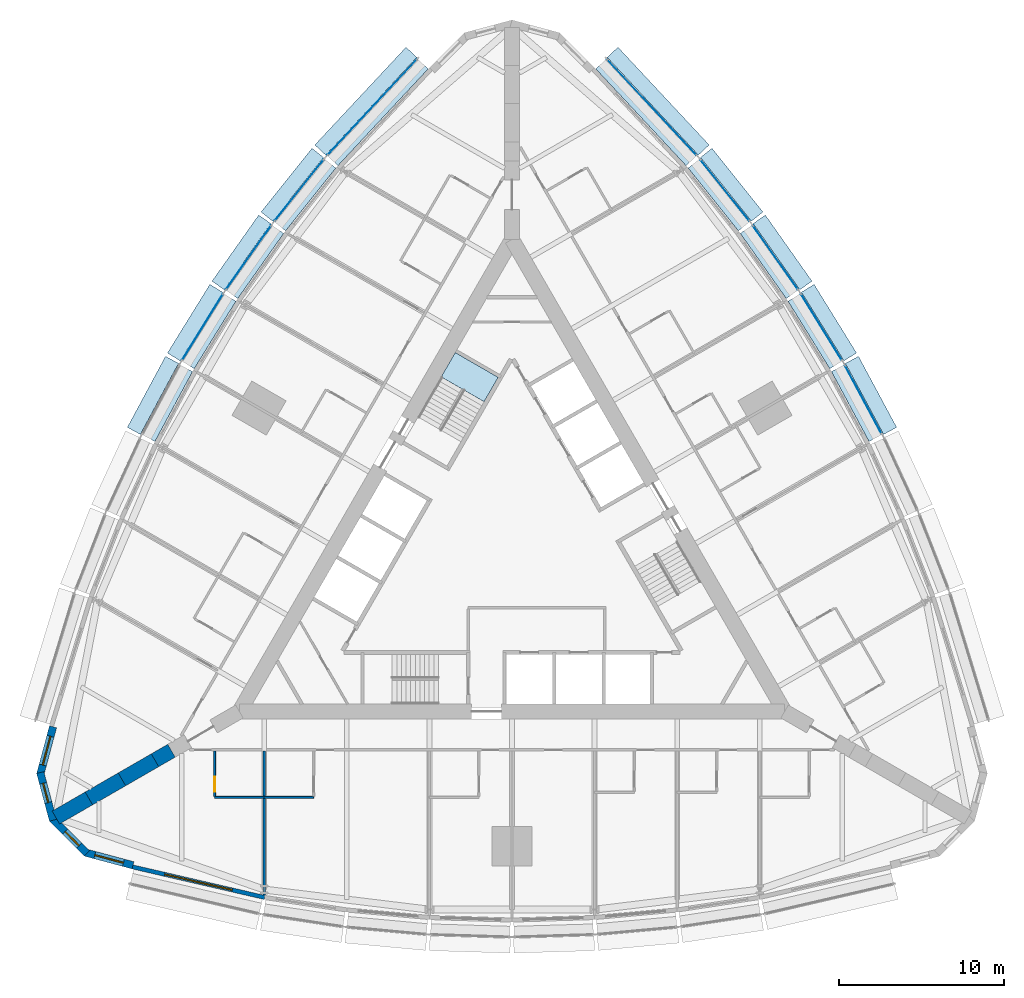
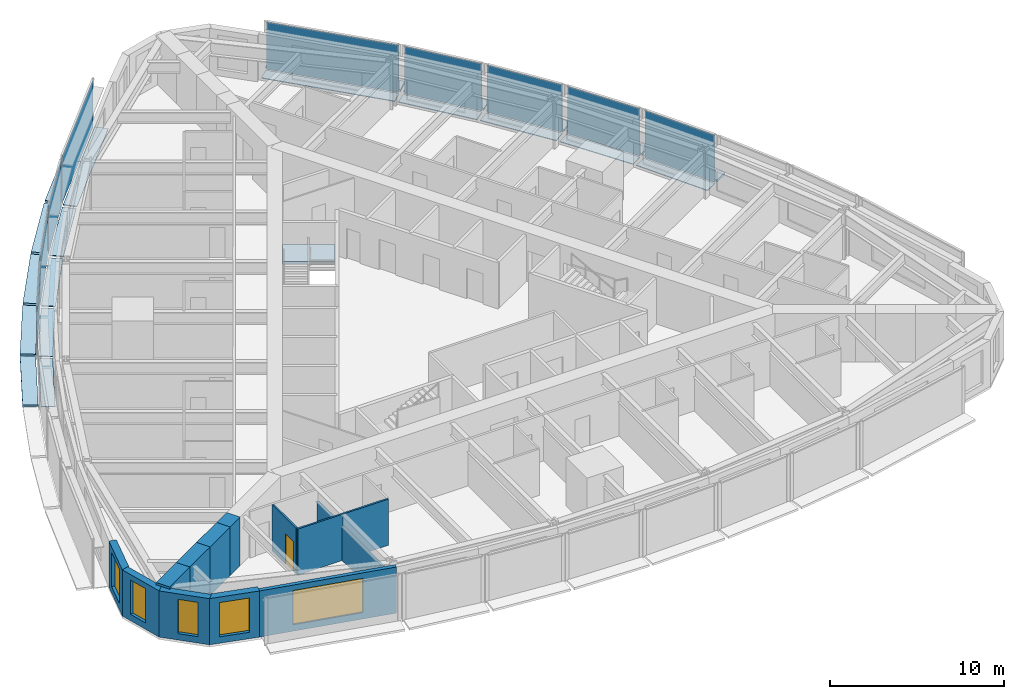
# One storey, part 7 of 14: 29 plates, 13 walls, 5 windows, 1 door, 1 slab, 6 openings, 10 elements without a shape of their own.
"""IFC4 building model written with IfcOpenShell, lengths in metres."""

import ifcopenshell
import ifcopenshell.guid

model = None  # the IFC model being written
_history = None  # IfcOwnerHistory: only IFC2X3 demands one
_inside = {}  # id of a spatial element -> (the spatial element, [elements in it])
_under = {}  # id of a project, library or spatial element -> (it, [spatial elements below it])
_declared = {}  # id of a project -> (the project, [libraries it declares])
_typed = {}  # id of a type object -> (the type object, [elements of that type])
_made_of = {}  # id of a material, layer set ... -> (it, [elements and type objects made of it])


def new_model(schema):
    """Start an empty IFC model of exactly this schema.

    Asked for "IFC4X3", IfcOpenShell would pick the latest addendum, in which some entities
    have other attributes; the version numbers below select the first issue.
    IFC2X3 requires an IfcOwnerHistory on every rooted entity: one is made here for all.
    """
    global model, _history
    if schema == "IFC4X3":
        model = ifcopenshell.file(schema_version=(4, 3, 0, 0))
    else:
        model = ifcopenshell.file(schema=schema)
    _inside.clear()
    _under.clear()
    _declared.clear()
    _typed.clear()
    _made_of.clear()
    _history = None
    if model.schema == "IFC2X3":
        org = make("IfcOrganization", Name="unknown")
        user = make(
            "IfcPersonAndOrganization",
            ThePerson=make("IfcPerson", FamilyName="unknown"),
            TheOrganization=org,
        )
        app = make(
            "IfcApplication",
            ApplicationDeveloper=org,
            Version="unknown",
            ApplicationFullName="unknown",
            ApplicationIdentifier="unknown",
        )
        _history = make(
            "IfcOwnerHistory",
            OwningUser=user,
            OwningApplication=app,
            ChangeAction="ADDED",
            CreationDate=0,
        )
    return model


def make(cls, **values):
    """One entity of the class cls with the attributes given. An attribute that is None is left unset."""
    return model.create_entity(
        cls, **{name: value for name, value in values.items() if value is not None}
    )


def rooted(cls, **values):
    """An entity with a GlobalId (a new one), such as an element, a storey or a relation."""
    return make(cls, GlobalId=ifcopenshell.guid.new(), OwnerHistory=_history, **values)


def si_unit(unit_type, name, prefix=None):
    """IfcSIUnit, for example si_unit("LENGTHUNIT", "METRE", prefix="MILLI")."""
    return make("IfcSIUnit", UnitType=unit_type, Prefix=prefix, Name=name)


def assignment(units):
    """IfcUnitAssignment: the units of a project."""
    return None if units is None else make("IfcUnitAssignment", Units=units)


def point(xyz):
    """IfcCartesianPoint."""
    return None if xyz is None else make("IfcCartesianPoint", Coordinates=xyz)


def direction(xyz):
    """IfcDirection."""
    return None if xyz is None else make("IfcDirection", DirectionRatios=xyz)


def frame(location, z_axis=None, x_axis=None):
    """IfcAxis2Placement3D, a coordinate frame: its origin and axes. An axis left out is left unset."""
    return make(
        "IfcAxis2Placement3D",
        Location=point(location),
        Axis=direction(z_axis),
        RefDirection=direction(x_axis),
    )


def frame_2d(location, x_axis=None):
    """IfcAxis2Placement2D, a coordinate frame in the plane: its origin and x axis."""
    return make(
        "IfcAxis2Placement2D", Location=point(location), RefDirection=direction(x_axis)
    )


def origin():
    """The frame at (0, 0, 0) with its axes left unset."""
    return frame((0.0, 0.0, 0.0))


def origin_2d():
    """The frame at (0, 0) in the plane with its x axis left unset."""
    return frame_2d((0.0, 0.0))


def place(relative_to, where):
    """IfcLocalPlacement: puts the frame where relative to a parent placement (None: the world)."""
    return make(
        "IfcLocalPlacement", PlacementRelTo=relative_to, RelativePlacement=where
    )


def context(
    kind, dimensions, precision=None, world=None, true_north=None, identifier=None
):
    """IfcGeometricRepresentationContext, for example the 3D "Model" context."""
    return make(
        "IfcGeometricRepresentationContext",
        ContextIdentifier=identifier,
        ContextType=kind,
        CoordinateSpaceDimension=dimensions,
        Precision=precision,
        WorldCoordinateSystem=world,
        TrueNorth=true_north,
    )


def subcontext(parent, identifier, kind, view, scale=None):
    """IfcGeometricRepresentationSubContext, for example "Body" below "Model"."""
    return make(
        "IfcGeometricRepresentationSubContext",
        ContextIdentifier=identifier,
        ContextType=kind,
        ParentContext=parent,
        TargetScale=scale,
        TargetView=view,
    )


def project(units=None, contexts=None):
    """IfcProject with its units and contexts."""
    return rooted(
        "IfcProject",
        Name="project",
        RepresentationContexts=contexts,
        UnitsInContext=assignment(units),
    )


def spatial(cls, under=None, at=None, **own):
    """A site, building, storey or space (cls), placed at a placement, below another one or the project."""
    s = rooted(cls, ObjectPlacement=at, **own)
    if under is not None:
        _under.setdefault(under.id(), (under, []))[1].append(s)
    return s


def polyline(points):
    """IfcPolyline through the points."""
    return make("IfcPolyline", Points=[point(p) for p in points])


def profile(cls, at=None, kind="AREA", **sizes):
    """A parametric profile (cls). Its sizes go by their IFC names, for example OverallWidth=200.0."""
    return make(cls, ProfileType=kind, Position=at, **sizes)


def rectangle(**sizes):
    """IfcRectangleProfileDef."""
    return profile("IfcRectangleProfileDef", **sizes)


def outline(outer, holes=None, kind="AREA"):
    """IfcArbitraryClosedProfileDef: a profile drawn as a closed curve; with holes, ...WithVoids."""
    if holes is None:
        return make("IfcArbitraryClosedProfileDef", ProfileType=kind, OuterCurve=outer)
    return make(
        "IfcArbitraryProfileDefWithVoids",
        ProfileType=kind,
        OuterCurve=outer,
        InnerCurves=holes,
    )


def extrude(swept, where, along, depth):
    """IfcExtrudedAreaSolid: the profile swept, set in the frame where, extruded along a direction by depth."""
    return make(
        "IfcExtrudedAreaSolid",
        SweptArea=swept,
        Position=where,
        ExtrudedDirection=direction(along),
        Depth=depth,
    )


def shape(context_of_items, identifier, shape_type, items):
    """IfcShapeRepresentation: the items that make up one representation, for example the "Body"."""
    return make(
        "IfcShapeRepresentation",
        ContextOfItems=context_of_items,
        RepresentationIdentifier=identifier,
        RepresentationType=shape_type,
        Items=items,
    )


def material(Name=None, Category=None):
    """IfcMaterial."""
    return make("IfcMaterial", Name=Name, Category=Category)


def layer(
    of_material, thickness, ventilated=None, Name=None, Category=None, Priority=None
):
    """IfcMaterialLayer: one layer of a wall or slab, of a material (None: an air gap)."""
    return make(
        "IfcMaterialLayer",
        Material=of_material,
        LayerThickness=thickness,
        IsVentilated=ventilated,
        Name=Name,
        Category=Category,
        Priority=Priority,
    )


def layer_set(layers, Name=None):
    """IfcMaterialLayerSet."""
    return make("IfcMaterialLayerSet", MaterialLayers=layers, LayerSetName=Name)


def made_of(thing, what):
    """Note that an element or type object is made of a material, layer set ...; save() writes the relation."""
    if what is not None:
        _made_of.setdefault(what.id(), (what, []))[1].append(thing)
    return thing


def type_object(cls, material=None, **own):
    """A type object (cls), such as IfcWallType, which elements share."""
    return made_of(rooted(cls, **own), material)


def element(
    cls,
    number,
    at=None,
    inside=None,
    cuts=None,
    type_object=None,
    material=None,
    context=None,
    identifier="Body",
    shape_type=None,
    held_by="IfcProductDefinitionShape",
    body=None,
    shapes=None,
    **own,
):
    """One element of the class cls, such as IfcWall. Its Tag is "e" and its number.

    at: its placement. inside: the storey or other place that contains it. cuts: it is an
    opening in that element (IfcRelVoidsElement). A single representation is given by context,
    identifier, shape_type and body (its items); several are given by shapes. held_by: the class
    of the entity that holds the representations. save() writes the other relations.
    """
    e = rooted(cls, Tag="e%d" % number, ObjectPlacement=at, **own)
    if body is not None:
        shapes = [shape(context, identifier, shape_type, body)]
    if shapes is not None:
        e.Representation = make(held_by, Representations=shapes)
    if inside is not None:
        _inside.setdefault(inside.id(), (inside, []))[1].append(e)
    if cuts is not None:
        rooted(
            "IfcRelVoidsElement", RelatingBuildingElement=cuts, RelatedOpeningElement=e
        )
    if type_object is not None:
        _typed.setdefault(type_object.id(), (type_object, []))[1].append(e)
    return made_of(e, material)


def fill(opening, filler):
    """IfcRelFillsElement: the door or window that sits in an opening."""
    return rooted(
        "IfcRelFillsElement",
        RelatingOpeningElement=opening,
        RelatedBuildingElement=filler,
    )


def aggregate(whole, parts):
    """IfcRelAggregates: a whole, such as a stair, and the parts it consists of."""
    return rooted("IfcRelAggregates", RelatingObject=whole, RelatedObjects=parts)


def save(model, path):
    """Write the relations noted so far, then the file.

    IfcRelAggregates (storeys below a building ...), IfcRelContainedInSpatialStructure (elements
    in a storey), IfcRelDefinesByType, IfcRelAssociatesMaterial and IfcRelDeclares: one each for
    every whole, place, type object, material and project.
    """
    for whole, parts in _under.values():
        aggregate(whole, parts)
    for where, things in _inside.values():
        rooted(
            "IfcRelContainedInSpatialStructure",
            RelatedElements=things,
            RelatingStructure=where,
        )
    for kind, things in _typed.values():
        rooted("IfcRelDefinesByType", RelatedObjects=things, RelatingType=kind)
    for what, things in _made_of.values():
        rooted("IfcRelAssociatesMaterial", RelatedObjects=things, RelatingMaterial=what)
    for by, libraries in _declared.values():
        rooted("IfcRelDeclares", RelatingContext=by, RelatedDefinitions=libraries)
    model.write(path)


model = new_model("IFC4")

# Units and contexts
model_context = context("Model", 3, precision=1e-05, world=origin(), true_north=direction((0.0, 1.0)))
body_context = subcontext(model_context, "Body", "Model", "MODEL_VIEW")
ifc_project = project(units=[si_unit("LENGTHUNIT", "METRE"), si_unit("AREAUNIT", "SQUARE_METRE"), si_unit("VOLUMEUNIT", "CUBIC_METRE"), si_unit("PLANEANGLEUNIT", "RADIAN"), si_unit("MASSUNIT", "GRAM", prefix="KILO")], contexts=[model_context])

# Site, building, storey
site_placement = place(None, origin())
site = spatial("IfcSite", under=ifc_project, at=site_placement, CompositionType="ELEMENT")
building_placement = place(site_placement, origin())
building = spatial("IfcBuilding", under=site, at=building_placement, Name="Trikona Tower", CompositionType="ELEMENT")
storey_placement = place(building_placement, frame((0.0, 0.0, 86.300048828125)))
storey = spatial("IfcBuildingStorey", under=building, at=storey_placement, Name="L22", CompositionType="ELEMENT", Elevation=86.300048828125)

# Plates
ifc_material_1 = material(Name="Aluminium bar grating", Category="aluminium")
ifc_layer_1 = layer(ifc_material_1, 0.050048828125)
ifc_layer_set_1 = layer_set([ifc_layer_1], Name="Cavity catwalk grating")
plate_type_1 = type_object("IfcPlateType", Name="Cavity catwalk grating", PredefinedType="USERDEFINED", material=ifc_layer_set_1)
for number, where, z_axis, x_axis, name in (
    (1, (20.833740234375, 9.127197265625, -0.05029296875), (0.0, 0.0, 1.0), (-0.473422672721, 0.880835383572, 0.0), "Cavity catwalk L22-15"),
    (2, (18.3212890625, 13.47900390625, -0.05029296875), (0.0, 0.0, 1.0), (-0.526118935114, 0.85041099835, 0.0), "Cavity catwalk L22-16"),
):
    element("IfcPlate", number, at=place(storey_placement, frame(where, z_axis=z_axis, x_axis=x_axis)), inside=storey, type_object=plate_type_1, Name=name, ObjectType="CATWALK GRATING", PredefinedType="USERDEFINED", context=body_context, shape_type="SweptSolid", body=[
        extrude(rectangle(XDim=4.80224609375, YDim=0.820068359375, at=origin_2d()), origin(), (0.0, 0.0, 1.0), 0.050048828125),
    ])
plate_1_placement = place(storey_placement, frame((15.544189453125, 17.677734375, -0.05029296875), z_axis=(0.0, 0.0, 1.0), x_axis=(-0.576661909499, 0.816982889743, 0.0)))
element("IfcPlate", 3, at=plate_1_placement, inside=storey, type_object=plate_type_1, Name="Cavity catwalk L22-17", ObjectType="CATWALK GRATING", PredefinedType="USERDEFINED", context=body_context, shape_type="SweptSolid", body=[
    extrude(rectangle(XDim=4.82080078125, YDim=0.820068359375, at=origin_2d()), origin(), (0.0, 0.0, 1.0), 0.050048828125),
])
plate_2_placement = place(storey_placement, frame((12.502197265625, 21.72314453125, -0.05029296875), z_axis=(0.0, 0.0, 1.0), x_axis=(-0.624603618277, 0.780941944087, 0.0)))
element("IfcPlate", 4, at=plate_2_placement, inside=storey, type_object=plate_type_1, Name="Cavity catwalk L22-18", ObjectType="CATWALK GRATING", PredefinedType="USERDEFINED", context=body_context, shape_type="SweptSolid", body=[
    extrude(rectangle(XDim=4.857666015625, YDim=0.820068359375, at=origin_2d()), origin(), (0.0, 0.0, 1.0), 0.050048828125),
])
for number, where, z_axis, x_axis, name in (
    (5, (8.10107421875, 26.72314453125, -0.05029296875), (0.0, 0.0, 1.0), (-0.682298269147, 0.731073916864, 0.0), "Cavity catwalk L22-19"),
    (6, (-8.10107421875, 26.72314453125, -0.05029296875), (0.0, 0.0, 1.0), (-0.682298269147, -0.731073916864, 0.0), "Cavity catwalk L22-24"),
):
    element("IfcPlate", number, at=place(storey_placement, frame(where, z_axis=z_axis, x_axis=x_axis)), inside=storey, type_object=plate_type_1, Name=name, ObjectType="CATWALK GRATING", PredefinedType="USERDEFINED", context=body_context, shape_type="SweptSolid", body=[
        extrude(rectangle(XDim=8.01123046875, YDim=0.820068359375, at=origin_2d()), origin(), (0.0, 0.0, 1.0), 0.050048828125),
    ])
plate_3_placement = place(storey_placement, frame((-12.502197265625, 21.72314453125, -0.05029296875), z_axis=(0.0, 0.0, 1.0), x_axis=(-0.624603618277, -0.780941944087, 0.0)))
element("IfcPlate", 7, at=plate_3_placement, inside=storey, type_object=plate_type_1, Name="Cavity catwalk L22-25", ObjectType="CATWALK GRATING", PredefinedType="USERDEFINED", context=body_context, shape_type="SweptSolid", body=[
    extrude(rectangle(XDim=4.857666015625, YDim=0.820068359375, at=origin_2d()), origin(), (0.0, 0.0, 1.0), 0.050048828125),
])
plate_4_placement = place(storey_placement, frame((-15.544189453125, 17.677734375, -0.05029296875), z_axis=(0.0, 0.0, 1.0), x_axis=(-0.576661909499, -0.816982889743, 0.0)))
element("IfcPlate", 8, at=plate_4_placement, inside=storey, type_object=plate_type_1, Name="Cavity catwalk L22-26", ObjectType="CATWALK GRATING", PredefinedType="USERDEFINED", context=body_context, shape_type="SweptSolid", body=[
    extrude(rectangle(XDim=4.82080078125, YDim=0.820068359375, at=origin_2d()), origin(), (0.0, 0.0, 1.0), 0.050048828125),
])
for number, where, z_axis, x_axis, name in (
    (9, (-18.3212890625, 13.47900390625, -0.05029296875), (0.0, 0.0, 1.0), (-0.526118935114, -0.85041099835, 0.0), "Cavity catwalk L22-27"),
    (10, (-20.833740234375, 9.127197265625, -0.05029296875), (0.0, 0.0, 1.0), (-0.473422672721, -0.880835383572, 0.0), "Cavity catwalk L22-28"),
):
    element("IfcPlate", number, at=place(storey_placement, frame(where, z_axis=z_axis, x_axis=x_axis)), inside=storey, type_object=plate_type_1, Name=name, ObjectType="CATWALK GRATING", PredefinedType="USERDEFINED", context=body_context, shape_type="SweptSolid", body=[
        extrude(rectangle(XDim=4.80224609375, YDim=0.820068359375, at=origin_2d()), origin(), (0.0, 0.0, 1.0), 0.050048828125),
    ])

# Curtain wall, plate
ifc_material_2 = material(Name="Aluminium curtain wall system", Category="aluminium")
curtain_wall_type = type_object("IfcCurtainWallType", Name="Curtain wall DS1", PredefinedType="NOTDEFINED", material=ifc_material_2)
curtain_wall_1_placement = place(storey_placement, origin())
curtain_wall_1 = element("IfcCurtainWall", 11, at=curtain_wall_1_placement, inside=storey, type_object=curtain_wall_type, Name="Curtain wall DS1 L22", PredefinedType="NOTDEFINED")
ifc_material_3 = material(Name="Laminated clear glass", Category="glass")
ifc_layer_2 = layer(ifc_material_3, 0.028076171875)
ifc_layer_set_2 = layer_set([ifc_layer_2], Name="Glass panel DS1")
plate_type_2 = type_object("IfcPlateType", Name="Glass panel DS1", PredefinedType="CURTAIN_PANEL", material=ifc_layer_set_2)
plate_5_placement = place(storey_placement, frame((21.265380859375, 9.359130859375, 0.0), z_axis=(0.0, 0.0, 1.0), x_axis=(-0.473408350896, 0.880843080975, 0.0)))
plate_5 = element("IfcPlate", 12, at=plate_5_placement, type_object=plate_type_2, Name="CW-DS1 panel 1.1", PredefinedType="CURTAIN_PANEL", context=body_context, shape_type="SweptSolid", body=[
    extrude(rectangle(XDim=4.72216796875, YDim=0.028076171875, at=origin_2d()), origin(), (0.0, 0.0, 1.0), 3.320068359375),
])
aggregate(curtain_wall_1, [plate_5])

curtain_wall_2_placement = place(storey_placement, origin())
curtain_wall_2 = element("IfcCurtainWall", 13, at=curtain_wall_2_placement, inside=storey, type_object=curtain_wall_type, Name="Curtain wall DS1 L22", PredefinedType="NOTDEFINED")
plate_6_placement = place(storey_placement, frame((18.738037109375, 13.73681640625, 0.0), z_axis=(0.0, 0.0, 1.0), x_axis=(-0.526119790842, 0.850410468941, 0.0)))
plate_6 = element("IfcPlate", 14, at=plate_6_placement, type_object=plate_type_2, Name="CW-DS1 panel 1.1", PredefinedType="CURTAIN_PANEL", context=body_context, shape_type="SweptSolid", body=[
    extrude(rectangle(XDim=4.722412109375, YDim=0.028076171875, at=origin_2d()), origin(), (0.0, 0.0, 1.0), 3.320068359375),
])
aggregate(curtain_wall_2, [plate_6])

curtain_wall_3_placement = place(storey_placement, origin())
curtain_wall_3 = element("IfcCurtainWall", 15, at=curtain_wall_3_placement, inside=storey, type_object=curtain_wall_type, Name="Curtain wall DS1 L22", PredefinedType="NOTDEFINED")
plate_7_placement = place(storey_placement, frame((15.9443359375, 17.960205078125, 0.0), z_axis=(0.0, 0.0, 1.0), x_axis=(-0.576658362928, 0.816985393055, 0.0)))
plate_7 = element("IfcPlate", 16, at=plate_7_placement, type_object=plate_type_2, Name="CW-DS1 panel 1.1", PredefinedType="CURTAIN_PANEL", context=body_context, shape_type="SweptSolid", body=[
    extrude(rectangle(XDim=4.74072265625, YDim=0.028076171875, at=origin_2d()), origin(), (0.0, 0.0, 1.0), 3.320068359375),
])
aggregate(curtain_wall_3, [plate_7])

curtain_wall_4_placement = place(storey_placement, origin())
curtain_wall_4 = element("IfcCurtainWall", 17, at=curtain_wall_4_placement, inside=storey, type_object=curtain_wall_type, Name="Curtain wall DS1 L22", PredefinedType="NOTDEFINED")
plate_8_placement = place(storey_placement, frame((12.884765625, 22.029296875, 0.0), z_axis=(0.0, 0.0, 1.0), x_axis=(-0.624608599951, 0.780937959679, 0.0)))
plate_8 = element("IfcPlate", 18, at=plate_8_placement, type_object=plate_type_2, Name="CW-DS1 panel 1.1", PredefinedType="CURTAIN_PANEL", context=body_context, shape_type="SweptSolid", body=[
    extrude(rectangle(XDim=4.777587890625, YDim=0.028076171875, at=origin_2d()), origin(), (0.0, 0.0, 1.0), 3.320068359375),
])
aggregate(curtain_wall_4, [plate_8])

curtain_wall_5_placement = place(storey_placement, origin())
curtain_wall_5 = element("IfcCurtainWall", 19, at=curtain_wall_5_placement, inside=storey, type_object=curtain_wall_type, Name="Curtain wall DS1 L22", PredefinedType="NOTDEFINED")
plate_9_placement = place(storey_placement, frame((8.459228515625, 27.057373046875, 0.0), z_axis=(0.0, 0.0, 1.0), x_axis=(-0.682295351967, 0.731076639405, 0.0)))
plate_9 = element("IfcPlate", 20, at=plate_9_placement, type_object=plate_type_2, Name="CW-DS1 panel 1.1", PredefinedType="CURTAIN_PANEL", context=body_context, shape_type="SweptSolid", body=[
    extrude(rectangle(XDim=7.93115234375, YDim=0.028076171875, at=origin_2d()), origin(), (0.0, 0.0, 1.0), 3.320068359375),
])
aggregate(curtain_wall_5, [plate_9])

curtain_wall_6_placement = place(storey_placement, origin())
curtain_wall_6 = element("IfcCurtainWall", 21, at=curtain_wall_6_placement, inside=storey, type_object=curtain_wall_type, Name="Curtain wall DS1 L22", PredefinedType="NOTDEFINED")
plate_10_placement = place(storey_placement, frame((-8.459228515625, 27.057373046875, 0.0), z_axis=(0.0, 0.0, 1.0), x_axis=(-0.682295351967, -0.731076639405, 0.0)))
plate_10 = element("IfcPlate", 22, at=plate_10_placement, type_object=plate_type_2, Name="CW-DS1 panel 1.1", PredefinedType="CURTAIN_PANEL", context=body_context, shape_type="SweptSolid", body=[
    extrude(rectangle(XDim=7.93115234375, YDim=0.028076171875, at=origin_2d()), origin(), (0.0, 0.0, 1.0), 3.320068359375),
])
aggregate(curtain_wall_6, [plate_10])

curtain_wall_7_placement = place(storey_placement, origin())
curtain_wall_7 = element("IfcCurtainWall", 23, at=curtain_wall_7_placement, inside=storey, type_object=curtain_wall_type, Name="Curtain wall DS1 L22", PredefinedType="NOTDEFINED")
plate_11_placement = place(storey_placement, frame((-12.884765625, 22.029296875, 0.0), z_axis=(0.0, 0.0, 1.0), x_axis=(-0.624608599951, -0.780937959679, 0.0)))
plate_11 = element("IfcPlate", 24, at=plate_11_placement, type_object=plate_type_2, Name="CW-DS1 panel 1.1", PredefinedType="CURTAIN_PANEL", context=body_context, shape_type="SweptSolid", body=[
    extrude(rectangle(XDim=4.777587890625, YDim=0.028076171875, at=origin_2d()), origin(), (0.0, 0.0, 1.0), 3.320068359375),
])
aggregate(curtain_wall_7, [plate_11])

curtain_wall_8_placement = place(storey_placement, origin())
curtain_wall_8 = element("IfcCurtainWall", 25, at=curtain_wall_8_placement, inside=storey, type_object=curtain_wall_type, Name="Curtain wall DS1 L22", PredefinedType="NOTDEFINED")
plate_12_placement = place(storey_placement, frame((-15.9443359375, 17.960205078125, 0.0), z_axis=(0.0, 0.0, 1.0), x_axis=(-0.576658362928, -0.816985393055, 0.0)))
plate_12 = element("IfcPlate", 26, at=plate_12_placement, type_object=plate_type_2, Name="CW-DS1 panel 1.1", PredefinedType="CURTAIN_PANEL", context=body_context, shape_type="SweptSolid", body=[
    extrude(rectangle(XDim=4.74072265625, YDim=0.028076171875, at=origin_2d()), origin(), (0.0, 0.0, 1.0), 3.320068359375),
])
aggregate(curtain_wall_8, [plate_12])

curtain_wall_9_placement = place(storey_placement, origin())
curtain_wall_9 = element("IfcCurtainWall", 27, at=curtain_wall_9_placement, inside=storey, type_object=curtain_wall_type, Name="Curtain wall DS1 L22", PredefinedType="NOTDEFINED")
plate_13_placement = place(storey_placement, frame((-18.738037109375, 13.73681640625, 0.0), z_axis=(0.0, 0.0, 1.0), x_axis=(-0.526119790842, -0.850410468941, 0.0)))
plate_13 = element("IfcPlate", 28, at=plate_13_placement, type_object=plate_type_2, Name="CW-DS1 panel 1.1", PredefinedType="CURTAIN_PANEL", context=body_context, shape_type="SweptSolid", body=[
    extrude(rectangle(XDim=4.722412109375, YDim=0.028076171875, at=origin_2d()), origin(), (0.0, 0.0, 1.0), 3.320068359375),
])
aggregate(curtain_wall_9, [plate_13])

# Plates
ifc_material_4 = material(Name="Aluminium plate fin, pale anodised, on stainless steel outriggers", Category="steel")
ifc_layer_3 = layer(ifc_material_4, 0.14990234375)
ifc_layer_set_3 = layer_set([ifc_layer_3], Name="Outer skin fin 900")
plate_type_3 = type_object("IfcPlateType", Name="Outer skin fin 900", PredefinedType="USERDEFINED", material=ifc_layer_set_3)
for number, where, z_axis, x_axis, name in (
    (29, (21.732421875, 9.610107421875, 0.0), (0.0, 0.0, 1.0), (-0.473422672721, 0.880835383572, 0.0), "Outer skin fin L22-15"),
    (30, (19.188720703125, 14.015625, 0.0), (0.0, 0.0, 1.0), (-0.526118935114, 0.85041099835, 0.0), "Outer skin fin L22-16"),
):
    element("IfcPlate", number, at=place(storey_placement, frame(where, z_axis=z_axis, x_axis=x_axis)), inside=storey, type_object=plate_type_3, Name=name, ObjectType="FIN", PredefinedType="USERDEFINED", context=body_context, shape_type="SweptSolid", body=[
        extrude(rectangle(XDim=4.88232421875, YDim=0.89990234375, at=origin_2d()), origin(), (0.0, 0.0, 1.0), 0.14990234375),
    ])
plate_14_placement = place(storey_placement, frame((16.37744140625, 18.265869140625, 0.0), z_axis=(0.0, 0.0, 1.0), x_axis=(-0.576661909499, 0.816982889743, 0.0)))
element("IfcPlate", 31, at=plate_14_placement, inside=storey, type_object=plate_type_3, Name="Outer skin fin L22-17", ObjectType="FIN", PredefinedType="USERDEFINED", context=body_context, shape_type="SweptSolid", body=[
    extrude(rectangle(XDim=4.90087890625, YDim=0.89990234375, at=origin_2d()), origin(), (0.0, 0.0, 1.0), 0.14990234375),
])
plate_15_placement = place(storey_placement, frame((13.298583984375, 22.360107421875, 0.0), z_axis=(0.0, 0.0, 1.0), x_axis=(-0.624603618277, 0.780941944087, 0.0)))
element("IfcPlate", 32, at=plate_15_placement, inside=storey, type_object=plate_type_3, Name="Outer skin fin L22-18", ObjectType="FIN", PredefinedType="USERDEFINED", context=body_context, shape_type="SweptSolid", body=[
    extrude(rectangle(XDim=4.9375, YDim=0.89990234375, at=origin_2d()), origin(), (0.0, 0.0, 1.0), 0.14990234375),
])
for number, where, z_axis, x_axis, name in (
    (33, (8.8466796875, 27.419189453125, 0.0), (0.0, 0.0, 1.0), (-0.682298269147, 0.731073916864, 0.0), "Outer skin fin L22-19"),
    (34, (-8.8466796875, 27.419189453125, 0.0), (0.0, 0.0, 1.0), (-0.682298269147, -0.731073916864, 0.0), "Outer skin fin L22-24"),
):
    element("IfcPlate", number, at=place(storey_placement, frame(where, z_axis=z_axis, x_axis=x_axis)), inside=storey, type_object=plate_type_3, Name=name, ObjectType="FIN", PredefinedType="USERDEFINED", context=body_context, shape_type="SweptSolid", body=[
        extrude(rectangle(XDim=8.09130859375, YDim=0.89990234375, at=origin_2d()), origin(), (0.0, 0.0, 1.0), 0.14990234375),
    ])
plate_16_placement = place(storey_placement, frame((-13.298583984375, 22.360107421875, 0.0), z_axis=(0.0, 0.0, 1.0), x_axis=(-0.624603618277, -0.780941944087, 0.0)))
element("IfcPlate", 35, at=plate_16_placement, inside=storey, type_object=plate_type_3, Name="Outer skin fin L22-25", ObjectType="FIN", PredefinedType="USERDEFINED", context=body_context, shape_type="SweptSolid", body=[
    extrude(rectangle(XDim=4.9375, YDim=0.89990234375, at=origin_2d()), origin(), (0.0, 0.0, 1.0), 0.14990234375),
])
plate_17_placement = place(storey_placement, frame((-16.37744140625, 18.265869140625, 0.0), z_axis=(0.0, 0.0, 1.0), x_axis=(-0.576661909499, -0.816982889743, 0.0)))
element("IfcPlate", 36, at=plate_17_placement, inside=storey, type_object=plate_type_3, Name="Outer skin fin L22-26", ObjectType="FIN", PredefinedType="USERDEFINED", context=body_context, shape_type="SweptSolid", body=[
    extrude(rectangle(XDim=4.90087890625, YDim=0.89990234375, at=origin_2d()), origin(), (0.0, 0.0, 1.0), 0.14990234375),
])
for number, where, z_axis, x_axis, name in (
    (37, (-19.188720703125, 14.015625, 0.0), (0.0, 0.0, 1.0), (-0.526118935114, -0.85041099835, 0.0), "Outer skin fin L22-27"),
    (38, (-21.732421875, 9.610107421875, 0.0), (0.0, 0.0, 1.0), (-0.473422672721, -0.880835383572, 0.0), "Outer skin fin L22-28"),
):
    element("IfcPlate", number, at=place(storey_placement, frame(where, z_axis=z_axis, x_axis=x_axis)), inside=storey, type_object=plate_type_3, Name=name, ObjectType="FIN", PredefinedType="USERDEFINED", context=body_context, shape_type="SweptSolid", body=[
        extrude(rectangle(XDim=4.88232421875, YDim=0.89990234375, at=origin_2d()), origin(), (0.0, 0.0, 1.0), 0.14990234375),
    ])

# Stair, slab
ifc_material_5 = material(Name="Concrete f'c 5000 psi", Category="concrete")
stair_type = type_object("IfcStairType", Name="Core stair", PredefinedType="HALF_TURN_STAIR", material=ifc_material_5)
stair_placement = place(storey_placement, origin())
stair = element("IfcStair", 39, at=stair_placement, inside=storey, type_object=stair_type, Name="Stair C L22", PredefinedType="HALF_TURN_STAIR")
ifc_material_6 = material(Name="Concrete f'c 5000 psi", Category="concrete")
ifc_layer_4 = layer(ifc_material_6, 0.199951171875)
ifc_layer_set_4 = layer_set([ifc_layer_4], Name="Stair landing 200")
slab_type = type_object("IfcSlabType", Name="Stair landing 200", PredefinedType="LANDING", material=ifc_layer_set_4)
slab_placement = place(storey_placement, frame((0.0, 0.0, 1.5)))
slab = element("IfcSlab", 40, at=slab_placement, type_object=slab_type, Name="ST-C landing 2", PredefinedType="LANDING", context=body_context, shape_type="SweptSolid", body=[
    extrude(outline(polyline([(-0.837158203125, 10.702392578125), (-1.688720703125, 9.2275390625), (-4.286865234375, 10.7275390625), (-3.435302734375, 12.202392578125), (-0.837158203125, 10.702392578125)])), origin(), (0.0, 0.0, 1.0), 0.199951171875),
])
aggregate(stair, [slab])

# Wall
ifc_material_7 = material(Name="Metal stud and cement board", Category="gypsum")
ifc_layer_5 = layer(ifc_material_7, 0.1201171875)
ifc_layer_set_5 = layer_set([ifc_layer_5], Name="Bathroom wall 120")
wall_type_1 = type_object("IfcWallType", Name="Bathroom wall 120", PredefinedType="PLUMBINGWALL", material=ifc_layer_set_5)
wall_1_placement = place(storey_placement, frame((-18.0, -14.726318359375, 0.0), z_axis=(0.0, 0.0, 1.0), x_axis=(1.0, 0.0, 0.0)))
element("IfcWall", 41, at=wall_1_placement, inside=storey, type_object=wall_type_1, Name="Bathroom wall 2201", PredefinedType="PLUMBINGWALL", context=body_context, shape_type="SweptSolid", body=[
    extrude(rectangle(XDim=3.0, YDim=0.1201171875, at=frame_2d((1.5, 0.0))), origin(), (0.0, 0.0, 1.0), 3.23486328125),
])

# Wall, opening, door
wall_2_placement = place(storey_placement, frame((-18.0, -11.92626953125, 0.0), z_axis=(0.0, 0.0, 1.0), x_axis=(0.0, -1.0, 0.0)))
wall_2 = element("IfcWall", 42, at=wall_2_placement, inside=storey, type_object=wall_type_1, Name="Bathroom wall 2201", PredefinedType="PLUMBINGWALL", context=body_context, shape_type="SweptSolid", body=[
    extrude(rectangle(XDim=2.739990234375, YDim=0.1201171875, at=frame_2d((1.3701171875, 0.0))), origin(), (0.0, 0.0, 1.0), 3.23486328125),
])
opening_1_placement = place(wall_2_placement, frame((1.550048828125, 0.0, 0.0)))
opening_1 = element("IfcOpeningElement", 43, at=opening_1_placement, cuts=wall_2, Name="Opening D2", PredefinedType="OPENING", context=body_context, shape_type="SweptSolid", body=[
    extrude(rectangle(XDim=0.89990234375, YDim=2.1298828125, at=frame_2d((0.449951171875, 1.06494140625))), frame((0.0, 0.070068359375, 0.0), z_axis=(0.0, -1.0, 0.0), x_axis=(1.0, 0.0, 0.0)), (0.0, 0.0, 1.0), 0.14013671875),
])
ifc_material_8 = material(Name="Steel door frame with solid-core timber leaf", Category="steel")
door_type = type_object("IfcDoorType", Name="Bathroom door 900x2130", OperationType="SLIDING_TO_LEFT", PredefinedType="DOOR", material=ifc_material_8)
door_placement = place(opening_1_placement, origin())
door = element("IfcDoor", 44, at=door_placement, inside=storey, type_object=door_type, Name="Bathroom door 2201", OperationType="SLIDING_TO_LEFT", OverallHeight=2.1298828125, OverallWidth=0.89990234375, PredefinedType="DOOR", context=body_context, shape_type="SweptSolid", body=[
    extrude(rectangle(XDim=0.89990234375, YDim=2.1298828125, at=frame_2d((0.449951171875, 1.06494140625))), frame((0.0, 0.02490234375, 0.0), z_axis=(0.0, -1.0, 0.0), x_axis=(1.0, 0.0, 0.0)), (0.0, 0.0, 1.0), 0.050048828125),
])
fill(opening_1, door)

# Wall
wall_3_placement = place(storey_placement, frame((-15.0, -14.726318359375, 0.0), z_axis=(0.0, 0.0, 1.0), x_axis=(1.0, 0.0, 0.0)))
element("IfcWall", 45, at=wall_3_placement, inside=storey, type_object=wall_type_1, Name="Bathroom wall 2202", PredefinedType="PLUMBINGWALL", context=body_context, shape_type="SweptSolid", body=[
    extrude(rectangle(XDim=3.0, YDim=0.1201171875, at=frame_2d((1.5, 0.0))), origin(), (0.0, 0.0, 1.0), 3.23486328125),
])

# Wall, opening, window
ifc_material_9 = material(Name="Brick-faced precast concrete", Category="masonry")
ifc_layer_6 = layer(ifc_material_9, 0.449951171875)
ifc_layer_set_6 = layer_set([ifc_layer_6], Name="Brick-faced corner wall 450")
wall_type_2 = type_object("IfcWallType", Name="Brick-faced corner wall 450", PredefinedType="SOLIDWALL", material=ifc_layer_set_6)
wall_4_placement = place(storey_placement, frame((-27.78271484375, -10.450439453125, 0.0), z_axis=(0.0, 0.0, 1.0), x_axis=(-0.258780998834, -0.965936019953, 0.0)))
wall_4 = element("IfcWall", 46, at=wall_4_placement, inside=storey, type_object=wall_type_2, Name="External wall L22-32", PredefinedType="SOLIDWALL", context=body_context, shape_type="SweptSolid", body=[
    extrude(rectangle(XDim=2.98876953125, YDim=0.449951171875, at=frame_2d((1.494384765625, 0.0))), origin(), (0.0, 0.0, 1.0), 3.23486328125),
])
opening_2_placement = place(wall_4_placement, frame((0.59423828125, 0.0, 0.449951171875)))
opening_2 = element("IfcOpeningElement", 47, at=opening_2_placement, cuts=wall_4, Name="Opening W1824", PredefinedType="OPENING", context=body_context, shape_type="SweptSolid", body=[
    extrude(rectangle(XDim=1.800048828125, YDim=2.39990234375, at=frame_2d((0.89990234375, 1.199951171875))), frame((0.0, 0.23486328125, 0.0), z_axis=(0.0, -1.0, 0.0), x_axis=(1.0, 0.0, 0.0)), (0.0, 0.0, 1.0), 0.469970703125),
])
ifc_material_10 = material(Name="Aluminium-framed double glazing", Category="aluminium")
window_type_1 = type_object("IfcWindowType", Name="Window 1800x2400", PartitioningType="SINGLE_PANEL", PredefinedType="WINDOW", material=ifc_material_10)
window_1_placement = place(opening_2_placement, origin())
window_1 = element("IfcWindow", 48, at=window_1_placement, inside=storey, type_object=window_type_1, Name="Window 2216", OverallHeight=2.39990234375, OverallWidth=1.800048828125, PartitioningType="SINGLE_PANEL", PredefinedType="WINDOW", context=body_context, shape_type="SweptSolid", body=[
    extrude(rectangle(XDim=1.800048828125, YDim=2.39990234375, at=frame_2d((0.89990234375, 1.199951171875))), frame((0.0, 0.030029296875, 0.0), z_axis=(0.0, -1.0, 0.0), x_axis=(1.0, 0.0, 0.0)), (0.0, 0.0, 1.0), 0.06005859375),
])
fill(opening_2, window_1)

wall_5_placement = place(storey_placement, frame((-28.55615234375, -13.220947265625, 0.0), z_axis=(0.0, 0.0, 1.0), x_axis=(0.258801419081, -0.965930548995, 0.0)))
wall_5 = element("IfcWall", 49, at=wall_5_placement, inside=storey, type_object=wall_type_2, Name="External wall L22-33", PredefinedType="SOLIDWALL", context=body_context, shape_type="SweptSolid", body=[
    extrude(outline(polyline([(2.988525390625, 0.22509765625), (2.928955078125, 0.22509765625), (2.437255859375, 0.09326171875), (2.402099609375, 0.22509765625), (0.0, 0.22509765625), (0.0, -0.22509765625), (2.988525390625, -0.22509765625), (2.988525390625, 0.22509765625)])), origin(), (0.0, 0.0, 1.0), 3.23486328125),
])
opening_3_placement = place(wall_5_placement, frame((0.676025390625, 0.0, 0.449951171875)))
opening_3 = element("IfcOpeningElement", 50, at=opening_3_placement, cuts=wall_5, Name="Opening W1224", PredefinedType="OPENING", context=body_context, shape_type="SweptSolid", body=[
    extrude(rectangle(XDim=1.199951171875, YDim=2.39990234375, at=frame_2d((0.60009765625, 1.199951171875))), frame((0.0, 0.23486328125, 0.0), z_axis=(0.0, -1.0, 0.0), x_axis=(1.0, 0.0, 0.0)), (0.0, 0.0, 1.0), 0.469970703125),
])
ifc_material_11 = material(Name="Aluminium-framed double glazing", Category="aluminium")
window_type_2 = type_object("IfcWindowType", Name="Window 1200x2400", PartitioningType="SINGLE_PANEL", PredefinedType="WINDOW", material=ifc_material_11)
window_2_placement = place(opening_3_placement, origin())
window_2 = element("IfcWindow", 51, at=window_2_placement, inside=storey, type_object=window_type_2, Name="Window 2216", OverallHeight=2.39990234375, OverallWidth=1.199951171875, PartitioningType="SINGLE_PANEL", PredefinedType="WINDOW", context=body_context, shape_type="SweptSolid", body=[
    extrude(rectangle(XDim=1.199951171875, YDim=2.39990234375, at=frame_2d((0.60009765625, 1.199951171875))), frame((0.0, 0.030029296875, 0.0), z_axis=(0.0, -1.0, 0.0), x_axis=(1.0, 0.0, 0.0)), (0.0, 0.0, 1.0), 0.06005859375),
])
fill(opening_3, window_2)

wall_6_placement = place(storey_placement, frame((-27.8408203125, -16.006591796875, 0.0), z_axis=(0.0, 0.0, 1.0), x_axis=(0.707025086683, -0.707188466253, 0.0)))
wall_6 = element("IfcWall", 52, at=wall_6_placement, inside=storey, type_object=wall_type_2, Name="External wall L22-34", PredefinedType="SOLIDWALL", context=body_context, shape_type="SweptSolid", body=[
    extrude(outline(polyline([(2.988525390625, 0.22509765625), (0.58642578125, 0.22509765625), (0.551025390625, 0.093017578125), (0.058837890625, 0.22509765625), (0.0, 0.22509765625), (0.0, -0.22509765625), (2.988525390625, -0.22509765625), (2.988525390625, 0.22509765625)])), origin(), (0.0, 0.0, 1.0), 3.23486328125),
])
opening_4_placement = place(wall_6_placement, frame((1.112548828125, 0.0, 0.449951171875)))
opening_4 = element("IfcOpeningElement", 53, at=opening_4_placement, cuts=wall_6, Name="Opening W1224", PredefinedType="OPENING", context=body_context, shape_type="SweptSolid", body=[
    extrude(rectangle(XDim=1.199951171875, YDim=2.39990234375, at=frame_2d((0.60009765625, 1.199951171875))), frame((0.0, 0.23486328125, 0.0), z_axis=(0.0, -1.0, 0.0), x_axis=(1.0, 0.0, 0.0)), (0.0, 0.0, 1.0), 0.469970703125),
])
window_3_placement = place(opening_4_placement, origin())
window_3 = element("IfcWindow", 54, at=window_3_placement, inside=storey, type_object=window_type_2, Name="Window 2201", OverallHeight=2.39990234375, OverallWidth=1.199951171875, PartitioningType="SINGLE_PANEL", PredefinedType="WINDOW", context=body_context, shape_type="SweptSolid", body=[
    extrude(rectangle(XDim=1.199951171875, YDim=2.39990234375, at=frame_2d((0.60009765625, 1.199951171875))), frame((0.0, 0.030029296875, 0.0), z_axis=(0.0, -1.0, 0.0), x_axis=(1.0, 0.0, 0.0)), (0.0, 0.0, 1.0), 0.06005859375),
])
fill(opening_4, window_3)

wall_7_placement = place(storey_placement, frame((-25.82861328125, -18.061767578125, 0.0), z_axis=(0.0, 0.0, 1.0), x_axis=(0.965930548995, -0.258801419081, 0.0)))
wall_7 = element("IfcWall", 55, at=wall_7_placement, inside=storey, type_object=wall_type_2, Name="External wall L22-35", PredefinedType="SOLIDWALL", context=body_context, shape_type="SweptSolid", body=[
    extrude(rectangle(XDim=2.988525390625, YDim=0.449951171875, at=frame_2d((1.494140625, 0.0))), origin(), (0.0, 0.0, 1.0), 3.23486328125),
])
opening_5_placement = place(wall_7_placement, frame((0.59423828125, 0.0, 0.449951171875)))
opening_5 = element("IfcOpeningElement", 56, at=opening_5_placement, cuts=wall_7, Name="Opening W1824", PredefinedType="OPENING", context=body_context, shape_type="SweptSolid", body=[
    extrude(rectangle(XDim=1.800048828125, YDim=2.39990234375, at=frame_2d((0.89990234375, 1.199951171875))), frame((0.0, 0.23486328125, 0.0), z_axis=(0.0, -1.0, 0.0), x_axis=(1.0, 0.0, 0.0)), (0.0, 0.0, 1.0), 0.469970703125),
])
window_4_placement = place(opening_5_placement, origin())
window_4 = element("IfcWindow", 57, at=window_4_placement, inside=storey, type_object=window_type_1, Name="Window 2201", OverallHeight=2.39990234375, OverallWidth=1.800048828125, PartitioningType="SINGLE_PANEL", PredefinedType="WINDOW", context=body_context, shape_type="SweptSolid", body=[
    extrude(rectangle(XDim=1.800048828125, YDim=2.39990234375, at=frame_2d((0.89990234375, 1.199951171875))), frame((0.0, 0.030029296875, 0.0), z_axis=(0.0, -1.0, 0.0), x_axis=(1.0, 0.0, 0.0)), (0.0, 0.0, 1.0), 0.06005859375),
])
fill(opening_5, window_4)

# Walls
ifc_material_12 = material(Name="Concrete f'c 10000 psi", Category="concrete")
ifc_layer_7 = layer(ifc_material_12, 0.89990234375)
ifc_layer_set_7 = layer_set([ifc_layer_7], Name="Buttress wall 900")
wall_type_3 = type_object("IfcWallType", Name="Buttress wall 900", PredefinedType="SHEAR", material=ifc_layer_set_7)
wall_8_placement = place(storey_placement, frame((-20.6103515625, -11.8994140625, 0.0), z_axis=(0.0, 0.0, 1.0), x_axis=(-0.866009537788, -0.500027479704, 0.0)))
element("IfcWall", 58, at=wall_8_placement, inside=storey, type_object=wall_type_3, Name="Buttress wall 3 part 2", PredefinedType="SHEAR", context=body_context, shape_type="SweptSolid", body=[
    extrude(rectangle(XDim=1.15478515625, YDim=0.89990234375, at=frame_2d((0.577392578125, 0.0))), origin(), (0.0, 0.0, 1.0), 3.39990234375),
])
for number, where, z_axis, x_axis, name in (
    (59, (-21.6103515625, -12.476806640625, 0.0), (0.0, 0.0, 1.0), (-0.866055313784, -0.499948190782, 0.0), "Buttress wall 3 part 3"),
    (60, (-23.6103515625, -13.63134765625, 0.0), (0.0, 0.0, 1.0), (-0.866009537788, -0.500027479704, 0.0), "Buttress wall 3 part 4"),
    (61, (-25.6103515625, -14.7861328125, 0.0), (0.0, 0.0, 1.0), (-0.866009537788, -0.500027479704, 0.0), "Buttress wall 3 part 5"),
):
    element("IfcWall", number, at=place(storey_placement, frame(where, z_axis=z_axis, x_axis=x_axis)), inside=storey, type_object=wall_type_3, Name=name, PredefinedType="SHEAR", context=body_context, shape_type="SweptSolid", body=[
        extrude(rectangle(XDim=2.309326171875, YDim=0.89990234375, at=frame_2d((1.15478515625, 0.0))), origin(), (0.0, 0.0, 1.0), 3.39990234375),
    ])

# Wall, opening, window
ifc_material_13 = material(Name="Insulated precast concrete spandrel panel", Category="concrete")
ifc_layer_8 = layer(ifc_material_13, 0.25)
ifc_layer_set_8 = layer_set([ifc_layer_8], Name="Inner skin wall 250")
wall_type_4 = type_object("IfcWallType", Name="Inner skin wall 250", PredefinedType="STANDARD", material=ifc_layer_set_8)
wall_9_placement = place(storey_placement, frame((-22.9716796875, -18.930908203125, 0.0), z_axis=(0.0, 0.0, 1.0), x_axis=(0.974279327392, -0.225343720163, 0.0)))
wall_9 = element("IfcWall", 62, at=wall_9_placement, inside=storey, type_object=wall_type_4, Name="External wall L22-00", PredefinedType="STANDARD", context=body_context, shape_type="SweptSolid", body=[
    extrude(rectangle(XDim=8.211181640625, YDim=0.25, at=frame_2d((4.10546875, 0.0))), origin(), (0.0, 0.0, 1.0), 3.23486328125),
])
opening_6_placement = place(wall_9_placement, frame((2.005615234375, 0.0, 0.449951171875)))
opening_6 = element("IfcOpeningElement", 63, at=opening_6_placement, cuts=wall_9, Name="Opening W4224", PredefinedType="OPENING", context=body_context, shape_type="SweptSolid", body=[
    extrude(rectangle(XDim=4.199951171875, YDim=2.39990234375, at=frame_2d((2.10009765625, 1.199951171875))), frame((0.0, 0.135009765625, 0.0), z_axis=(0.0, -1.0, 0.0), x_axis=(1.0, 0.0, 0.0)), (0.0, 0.0, 1.0), 0.27001953125),
])
ifc_material_14 = material(Name="Aluminium-framed double glazing", Category="aluminium")
window_type_3 = type_object("IfcWindowType", Name="Window 4200x2400", PartitioningType="SINGLE_PANEL", PredefinedType="WINDOW", material=ifc_material_14)
window_5_placement = place(opening_6_placement, origin())
window_5 = element("IfcWindow", 64, at=window_5_placement, inside=storey, type_object=window_type_3, Name="Window 2201", OverallHeight=2.39990234375, OverallWidth=4.199951171875, PartitioningType="SINGLE_PANEL", PredefinedType="WINDOW", context=body_context, shape_type="SweptSolid", body=[
    extrude(rectangle(XDim=4.199951171875, YDim=2.39990234375, at=frame_2d((2.10009765625, 1.199951171875))), frame((0.0, 0.030029296875, 0.0), z_axis=(0.0, -1.0, 0.0), x_axis=(1.0, 0.0, 0.0)), (0.0, 0.0, 1.0), 0.06005859375),
])
fill(opening_6, window_5)

# Wall
ifc_material_15 = material(Name="Metal stud and gypsum board, 1-hour acoustic", Category="gypsum")
ifc_layer_9 = layer(ifc_material_15, 0.14990234375)
ifc_layer_set_9 = layer_set([ifc_layer_9], Name="Party wall 150")
wall_type_5 = type_object("IfcWallType", Name="Party wall 150", PredefinedType="PARTITIONING", material=ifc_layer_set_9)
wall_10_placement = place(storey_placement, frame((-15.0, -11.92626953125, 0.0), z_axis=(0.0, 0.0, 1.0), x_axis=(0.0, -1.0, 0.0)))
element("IfcWall", 65, at=wall_10_placement, inside=storey, type_object=wall_type_5, Name="Partition L22 F1 u-15", PredefinedType="PARTITIONING", context=body_context, shape_type="SweptSolid", body=[
    extrude(rectangle(XDim=8.72021484375, YDim=0.14990234375, at=frame_2d((4.360107421875, 0.0))), origin(), (0.0, 0.0, 1.0), 2.38916015625),
])

save(model, "model.ifc")
